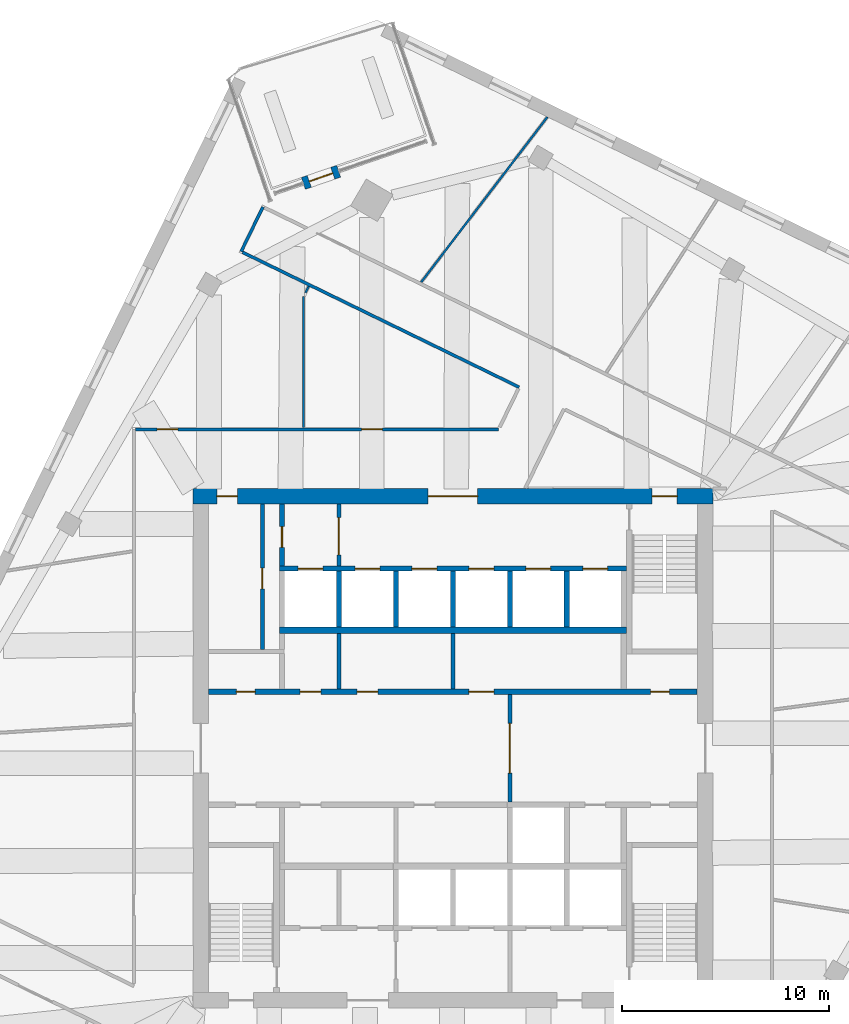
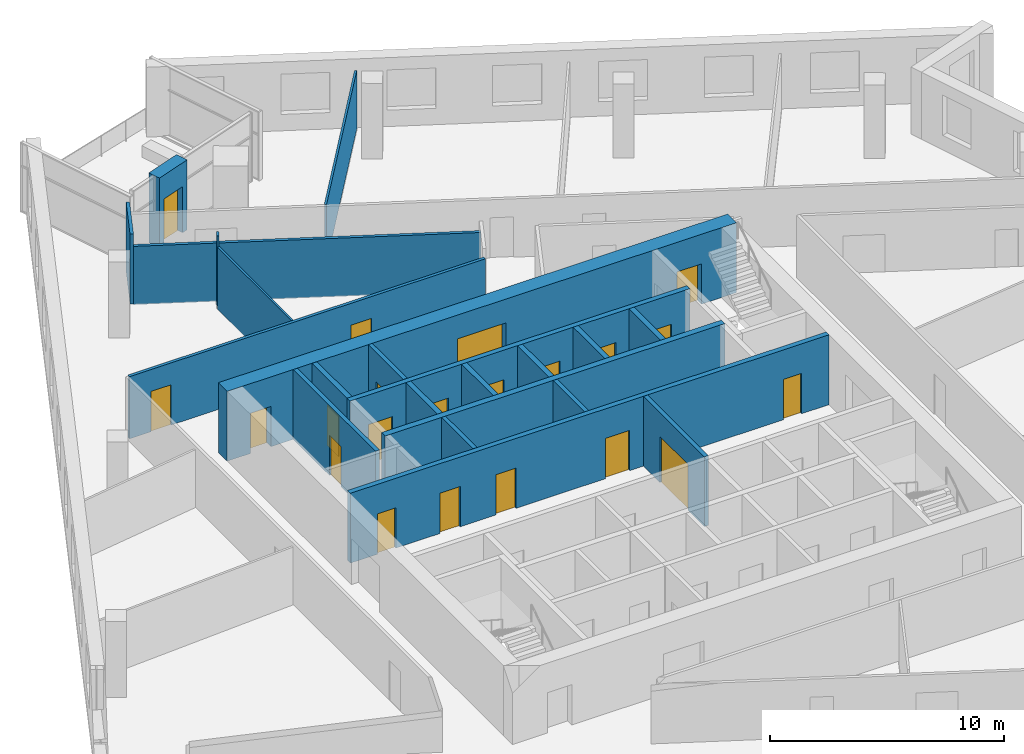
# One storey, part 9 of 13: 22 walls, 21 doors, 21 openings.
"""IFC4 building model written with IfcOpenShell, lengths in metres."""

from ifc_helpers import new_model, si_unit, direction, frame, frame_2d, origin, place, context, subcontext, project, spatial, rectangle, extrude, material, layer, layer_set, type_object, element, fill, save


model = new_model("IFC4")

# Units and contexts
model_context = context("Model", 3, precision=1e-05, world=origin(), true_north=direction((0.0, 1.0)))
body_context = subcontext(model_context, "Body", "Model", "MODEL_VIEW")
ifc_project = project(units=[si_unit("LENGTHUNIT", "METRE"), si_unit("AREAUNIT", "SQUARE_METRE"), si_unit("VOLUMEUNIT", "CUBIC_METRE"), si_unit("PLANEANGLEUNIT", "RADIAN"), si_unit("MASSUNIT", "GRAM", prefix="KILO")], contexts=[model_context])

# Site, building, storey
site_placement = place(None, origin())
site = spatial("IfcSite", under=ifc_project, at=site_placement, CompositionType="ELEMENT")
building_placement = place(site_placement, origin())
building = spatial("IfcBuilding", under=site, at=building_placement, Name="Dilmun Exchange Tower", CompositionType="ELEMENT")
storey_placement = place(building_placement, frame((0.0, 0.0, 282.89990234375)))
storey = spatial("IfcBuildingStorey", under=building, at=storey_placement, Name="L67", CompositionType="ELEMENT", Elevation=282.89990234375)

# Wall, opening, door
ifc_material_1 = material(Name="Concrete C40/50", Category="concrete")
ifc_layer_1 = layer(ifc_material_1, 0.199951171875)
ifc_layer_set_1 = layer_set([ifc_layer_1], Name="Concrete C40/50")
wall_type_1 = type_object("IfcWallType", Name="Core partition wall 200", PredefinedType="PARTITIONING", material=ifc_layer_set_1)
wall_1_placement = place(storey_placement, frame((2.75, -2.594970703125, 0.0), z_axis=(0.0, 0.0, 1.0), x_axis=(0.0, 1.0, 0.0)))
wall_1 = element("IfcWall", 1, at=wall_1_placement, inside=storey, type_object=wall_type_1, Name="L67 core partition wall 12", PredefinedType="PARTITIONING", context=body_context, shape_type="SweptSolid", body=[
    extrude(rectangle(XDim=5.18994140625, YDim=0.199951171875, at=frame_2d((2.594970703125, 0.0))), origin(), (0.0, 0.0, 1.0), 3.64013671875),
])
opening_1_placement = place(wall_1_placement, frame((1.39501953125, 0.0, 0.0)))
opening_1 = element("IfcOpeningElement", 2, at=opening_1_placement, cuts=wall_1, Name="Opening CD1", PredefinedType="OPENING", context=body_context, shape_type="SweptSolid", body=[
    extrude(rectangle(XDim=2.39990234375, YDim=2.39990234375, at=frame_2d((1.199951171875, 1.199951171875))), frame((0.0, 0.10986328125, 0.0), z_axis=(0.0, -1.0, 0.0), x_axis=(1.0, 0.0, 0.0)), (0.0, 0.0, 1.0), 0.219970703125),
])
ifc_material_2 = material(Name="Fire-rated steel door set", Category="steel")
door_type_1 = type_object("IfcDoorType", Name="Core lobby door 2400x2400", OperationType="DOUBLE_DOOR_DOUBLE_SWING", PredefinedType="DOOR", material=ifc_material_2)
door_1_placement = place(opening_1_placement, origin())
door_1 = element("IfcDoor", 3, at=door_1_placement, inside=storey, type_object=door_type_1, Name="L67 door Lift lobby east", OperationType="DOUBLE_DOOR_DOUBLE_SWING", OverallHeight=2.39990234375, OverallWidth=2.39990234375, PredefinedType="DOOR", context=body_context, shape_type="SweptSolid", body=[
    extrude(rectangle(XDim=2.39990234375, YDim=2.39990234375, at=frame_2d((1.199951171875, 1.199951171875))), frame((0.0, 0.02490234375, 0.0), z_axis=(0.0, -1.0, 0.0), x_axis=(1.0, 0.0, 0.0)), (0.0, 0.0, 1.0), 0.050048828125),
])
fill(opening_1, door_1)

# Walls
for number, where, z_axis, x_axis, name in (
    (4, (-5.5, 2.85498046875, 0.0), (0.0, 0.0, 1.0), (0.0, 1.0, 0.0), "L67 core partition wall 15"),
    (5, (0.0, 2.85498046875, 0.0), (0.0, 0.0, 1.0), (0.0, 1.0, 0.0), "L67 core partition wall 16"),
):
    element("IfcWall", number, at=place(storey_placement, frame(where, z_axis=z_axis, x_axis=x_axis)), inside=storey, type_object=wall_type_1, Name=name, PredefinedType="PARTITIONING", context=body_context, shape_type="SweptSolid", body=[
        extrude(rectangle(XDim=2.68994140625, YDim=0.199951171875, at=frame_2d((1.344970703125, 0.0))), origin(), (0.0, 0.0, 1.0), 3.64013671875),
    ])

# Wall, opening, door
wall_2_placement = place(storey_placement, frame((-9.199951171875, 4.780029296875, 0.0), z_axis=(0.0, 0.0, 1.0), x_axis=(0.0, 1.0, 0.0)))
wall_2 = element("IfcWall", 6, at=wall_2_placement, inside=storey, type_object=wall_type_1, Name="L67 core partition wall 19", PredefinedType="PARTITIONING", context=body_context, shape_type="SweptSolid", body=[
    extrude(rectangle(XDim=7.014892578125, YDim=0.199951171875, at=frame_2d((3.50732421875, 0.0))), origin(), (0.0, 0.0, 1.0), 3.64013671875),
])
opening_2_placement = place(wall_2_placement, frame((2.919921875, 0.0, 0.0)))
opening_2 = element("IfcOpeningElement", 7, at=opening_2_placement, cuts=wall_2, Name="Opening CD4", PredefinedType="OPENING", context=body_context, shape_type="SweptSolid", body=[
    extrude(rectangle(XDim=1.0, YDim=2.10009765625, at=frame_2d((0.5, 1.050048828125))), frame((0.0, 0.10986328125, 0.0), z_axis=(0.0, -1.0, 0.0), x_axis=(1.0, 0.0, 0.0)), (0.0, 0.0, 1.0), 0.219970703125),
])
door_type_2 = type_object("IfcDoorType", Name="Core room door 1000x2100", OperationType="SINGLE_SWING_LEFT", PredefinedType="DOOR", material=ifc_material_2)
door_2_placement = place(opening_2_placement, origin())
door_2 = element("IfcDoor", 8, at=door_2_placement, inside=storey, type_object=door_type_2, Name="L67 door Fire safety store", OperationType="SINGLE_SWING_RIGHT", OverallHeight=2.10009765625, OverallWidth=1.0, PredefinedType="DOOR", context=body_context, shape_type="SweptSolid", body=[
    extrude(rectangle(XDim=1.0, YDim=2.10009765625, at=frame_2d((0.5, 1.050048828125))), frame((0.0, 0.02490234375, 0.0), z_axis=(0.0, -1.0, 0.0), x_axis=(1.0, 0.0, 0.0)), (0.0, 0.0, 1.0), 0.050048828125),
])
fill(opening_2, door_2)

wall_3_placement = place(storey_placement, frame((-5.5, 8.804931640625, 0.0), z_axis=(0.0, 0.0, 1.0), x_axis=(0.0, 1.0, 0.0)))
wall_3 = element("IfcWall", 9, at=wall_3_placement, inside=storey, type_object=wall_type_1, Name="L67 core partition wall 22", PredefinedType="PARTITIONING", context=body_context, shape_type="SweptSolid", body=[
    extrude(rectangle(XDim=2.989990234375, YDim=0.199951171875, at=frame_2d((1.4951171875, 0.0))), origin(), (0.0, 0.0, 1.0), 3.64013671875),
])
opening_3_placement = place(wall_3_placement, frame((0.532470703125, 0.0, 0.0)))
opening_3 = element("IfcOpeningElement", 10, at=opening_3_placement, cuts=wall_3, Name="Opening CD5", PredefinedType="OPENING", context=body_context, shape_type="SweptSolid", body=[
    extrude(rectangle(XDim=1.800048828125, YDim=2.10009765625, at=frame_2d((0.89990234375, 1.050048828125))), frame((0.0, 0.10986328125, 0.0), z_axis=(0.0, -1.0, 0.0), x_axis=(1.0, 0.0, 0.0)), (0.0, 0.0, 1.0), 0.219970703125),
])
door_type_3 = type_object("IfcDoorType", Name="Stair exit door 1800x2100", OperationType="SINGLE_SWING_LEFT", PredefinedType="DOOR", material=ifc_material_2)
door_3_placement = place(opening_3_placement, origin())
door_3 = element("IfcDoor", 11, at=door_3_placement, inside=storey, type_object=door_type_3, Name="L67 door Lift lobby east", OperationType="SINGLE_SWING_LEFT", OverallHeight=2.10009765625, OverallWidth=1.800048828125, PredefinedType="DOOR", context=body_context, shape_type="SweptSolid", body=[
    extrude(rectangle(XDim=1.800048828125, YDim=2.10009765625, at=frame_2d((0.89990234375, 1.050048828125))), frame((0.0, 0.02490234375, 0.0), z_axis=(0.0, -1.0, 0.0), x_axis=(1.0, 0.0, 0.0)), (0.0, 0.0, 1.0), 0.050048828125),
])
fill(opening_3, door_3)

# Wall, openings, doors
ifc_layer_2 = layer(ifc_material_1, 0.25)
ifc_layer_set_2 = layer_set([ifc_layer_2], Name="Concrete C40/50")
wall_type_2 = type_object("IfcWallType", Name="Core partition wall 250", PredefinedType="PARTITIONING", material=ifc_layer_set_2)
wall_4_placement = place(storey_placement, frame((-11.794921875, 2.72509765625, 0.0), z_axis=(0.0, 0.0, 1.0), x_axis=(1.0, 0.0, 0.0)))
wall_4 = element("IfcWall", 12, at=wall_4_placement, inside=storey, type_object=wall_type_2, Name="L67 core partition wall 13", PredefinedType="PARTITIONING", context=body_context, shape_type="SweptSolid", body=[
    extrude(rectangle(XDim=23.58984375, YDim=0.25, at=frame_2d((11.794921875, 0.0))), origin(), (0.0, 0.0, 1.0), 3.64013671875),
])
opening_4_placement = place(wall_4_placement, frame((21.344970703125, 0.0, 0.0)))
opening_4 = element("IfcOpeningElement", 13, at=opening_4_placement, cuts=wall_4, Name="Opening CD6", PredefinedType="OPENING", context=body_context, shape_type="SweptSolid", body=[
    extrude(rectangle(XDim=0.89990234375, YDim=2.10009765625, at=frame_2d((0.449951171875, 1.050048828125))), frame((0.0, 0.135009765625, 0.0), z_axis=(0.0, -1.0, 0.0), x_axis=(1.0, 0.0, 0.0)), (0.0, 0.0, 1.0), 0.27001953125),
])
opening_5_placement = place(wall_4_placement, frame((1.344970703125, 0.0, 0.0)))
opening_5 = element("IfcOpeningElement", 14, at=opening_5_placement, cuts=wall_4, Name="Opening CD6", PredefinedType="OPENING", context=body_context, shape_type="SweptSolid", body=[
    extrude(rectangle(XDim=0.89990234375, YDim=2.10009765625, at=frame_2d((0.449951171875, 1.050048828125))), frame((0.0, 0.135009765625, 0.0), z_axis=(0.0, -1.0, 0.0), x_axis=(1.0, 0.0, 0.0)), (0.0, 0.0, 1.0), 0.27001953125),
])
opening_6_placement = place(wall_4_placement, frame((4.419921875, 0.0, 0.0)))
opening_6 = element("IfcOpeningElement", 15, at=opening_6_placement, cuts=wall_4, Name="Opening CD4", PredefinedType="OPENING", context=body_context, shape_type="SweptSolid", body=[
    extrude(rectangle(XDim=1.0, YDim=2.10009765625, at=frame_2d((0.5, 1.050048828125))), frame((0.0, 0.135009765625, 0.0), z_axis=(0.0, -1.0, 0.0), x_axis=(1.0, 0.0, 0.0)), (0.0, 0.0, 1.0), 0.27001953125),
])
opening_7_placement = place(wall_4_placement, frame((7.169921875, 0.0, 0.0)))
opening_7 = element("IfcOpeningElement", 16, at=opening_7_placement, cuts=wall_4, Name="Opening CD4", PredefinedType="OPENING", context=body_context, shape_type="SweptSolid", body=[
    extrude(rectangle(XDim=1.0, YDim=2.10009765625, at=frame_2d((0.5, 1.050048828125))), frame((0.0, 0.135009765625, 0.0), z_axis=(0.0, -1.0, 0.0), x_axis=(1.0, 0.0, 0.0)), (0.0, 0.0, 1.0), 0.27001953125),
])
opening_8_placement = place(wall_4_placement, frame((12.570068359375, 0.0, 0.0)))
opening_8 = element("IfcOpeningElement", 17, at=opening_8_placement, cuts=wall_4, Name="Opening CD3", PredefinedType="OPENING", context=body_context, shape_type="SweptSolid", body=[
    extrude(rectangle(XDim=1.199951171875, YDim=2.10009765625, at=frame_2d((0.60009765625, 1.050048828125))), frame((0.0, 0.135009765625, 0.0), z_axis=(0.0, -1.0, 0.0), x_axis=(1.0, 0.0, 0.0)), (0.0, 0.0, 1.0), 0.27001953125),
])
door_4_placement = place(opening_6_placement, origin())
door_4 = element("IfcDoor", 18, at=door_4_placement, inside=storey, type_object=door_type_2, Name="L67 door Records store", OperationType="SINGLE_SWING_RIGHT", OverallHeight=2.10009765625, OverallWidth=1.0, PredefinedType="DOOR", context=body_context, shape_type="SweptSolid", body=[
    extrude(rectangle(XDim=1.0, YDim=2.10009765625, at=frame_2d((0.5, 1.050048828125))), frame((0.0, 0.02490234375, 0.0), z_axis=(0.0, -1.0, 0.0), x_axis=(1.0, 0.0, 0.0)), (0.0, 0.0, 1.0), 0.050048828125),
])
fill(opening_6, door_4)
door_5_placement = place(opening_7_placement, origin())
door_5 = element("IfcDoor", 19, at=door_5_placement, inside=storey, type_object=door_type_2, Name="L67 door Mechanical room", OperationType="SINGLE_SWING_RIGHT", OverallHeight=2.10009765625, OverallWidth=1.0, PredefinedType="DOOR", context=body_context, shape_type="SweptSolid", body=[
    extrude(rectangle(XDim=1.0, YDim=2.10009765625, at=frame_2d((0.5, 1.050048828125))), frame((0.0, 0.02490234375, 0.0), z_axis=(0.0, -1.0, 0.0), x_axis=(1.0, 0.0, 0.0)), (0.0, 0.0, 1.0), 0.050048828125),
])
fill(opening_7, door_5)
door_type_4 = type_object("IfcDoorType", Name="Core room door 900x2100", OperationType="SINGLE_SWING_LEFT", PredefinedType="DOOR", material=ifc_material_2)
door_6_placement = place(opening_4_placement, origin())
door_6 = element("IfcDoor", 20, at=door_6_placement, inside=storey, type_object=door_type_4, Name="L67 door Electrical riser", OperationType="SINGLE_SWING_RIGHT", OverallHeight=2.10009765625, OverallWidth=0.89990234375, PredefinedType="DOOR", context=body_context, shape_type="SweptSolid", body=[
    extrude(rectangle(XDim=0.89990234375, YDim=2.10009765625, at=frame_2d((0.449951171875, 1.050048828125))), frame((0.0, 0.02490234375, 0.0), z_axis=(0.0, -1.0, 0.0), x_axis=(1.0, 0.0, 0.0)), (0.0, 0.0, 1.0), 0.050048828125),
])
fill(opening_4, door_6)
door_7_placement = place(opening_5_placement, origin())
door_7 = element("IfcDoor", 21, at=door_7_placement, inside=storey, type_object=door_type_4, Name="L67 door Plumbing riser", OperationType="SINGLE_SWING_RIGHT", OverallHeight=2.10009765625, OverallWidth=0.89990234375, PredefinedType="DOOR", context=body_context, shape_type="SweptSolid", body=[
    extrude(rectangle(XDim=0.89990234375, YDim=2.10009765625, at=frame_2d((0.449951171875, 1.050048828125))), frame((0.0, 0.02490234375, 0.0), z_axis=(0.0, -1.0, 0.0), x_axis=(1.0, 0.0, 0.0)), (0.0, 0.0, 1.0), 0.050048828125),
])
fill(opening_5, door_7)
door_type_5 = type_object("IfcDoorType", Name="Stair exit door 1200x2100", OperationType="SINGLE_SWING_LEFT", PredefinedType="DOOR", material=ifc_material_2)
door_8_placement = place(opening_8_placement, origin())
door_8 = element("IfcDoor", 22, at=door_8_placement, inside=storey, type_object=door_type_5, Name="L67 door Tenant meeting suite", OperationType="SINGLE_SWING_LEFT", OverallHeight=2.10009765625, OverallWidth=1.199951171875, PredefinedType="DOOR", context=body_context, shape_type="SweptSolid", body=[
    extrude(rectangle(XDim=1.199951171875, YDim=2.10009765625, at=frame_2d((0.60009765625, 1.050048828125))), frame((0.0, 0.02490234375, 0.0), z_axis=(0.0, -1.0, 0.0), x_axis=(1.0, 0.0, 0.0)), (0.0, 0.0, 1.0), 0.050048828125),
])
fill(opening_8, door_8)

# Wall, opening, door
wall_5_placement = place(storey_placement, frame((-8.25, 8.804931640625, 0.0), z_axis=(0.0, 0.0, 1.0), x_axis=(0.0, 1.0, 0.0)))
wall_5 = element("IfcWall", 23, at=wall_5_placement, inside=storey, type_object=wall_type_2, Name="L67 core partition wall 21", PredefinedType="PARTITIONING", context=body_context, shape_type="SweptSolid", body=[
    extrude(rectangle(XDim=2.989990234375, YDim=0.25, at=frame_2d((1.4951171875, 0.0))), origin(), (0.0, 0.0, 1.0), 3.64013671875),
])
opening_9_placement = place(wall_5_placement, frame((0.89501953125, 0.0, 0.0)))
opening_9 = element("IfcOpeningElement", 24, at=opening_9_placement, cuts=wall_5, Name="Opening CD4", PredefinedType="OPENING", context=body_context, shape_type="SweptSolid", body=[
    extrude(rectangle(XDim=1.0, YDim=2.10009765625, at=frame_2d((0.5, 1.050048828125))), frame((0.0, 0.135009765625, 0.0), z_axis=(0.0, -1.0, 0.0), x_axis=(1.0, 0.0, 0.0)), (0.0, 0.0, 1.0), 0.27001953125),
])
door_9_placement = place(opening_9_placement, origin())
door_9 = element("IfcDoor", 25, at=door_9_placement, inside=storey, type_object=door_type_2, Name="L67 door Tenant services room", OperationType="SINGLE_SWING_RIGHT", OverallHeight=2.10009765625, OverallWidth=1.0, PredefinedType="DOOR", context=body_context, shape_type="SweptSolid", body=[
    extrude(rectangle(XDim=1.0, YDim=2.10009765625, at=frame_2d((0.5, 1.050048828125))), frame((0.0, 0.02490234375, 0.0), z_axis=(0.0, -1.0, 0.0), x_axis=(1.0, 0.0, 0.0)), (0.0, 0.0, 1.0), 0.050048828125),
])
fill(opening_9, door_9)

# Wall, openings, doors
ifc_material_3 = material(Name="Concrete C50/60", Category="concrete")
ifc_layer_3 = layer(ifc_material_3, 0.75)
ifc_layer_set_3 = layer_set([ifc_layer_3], Name="Concrete C50/60")
wall_type_3 = type_object("IfcWallType", Name="Core shear wall 750 Concrete C50/60", PredefinedType="SHEAR", material=ifc_layer_set_3)
wall_6_placement = place(storey_placement, frame((-12.550048828125, 12.175048828125, 0.0), z_axis=(0.0, 0.0, 1.0), x_axis=(1.0, 0.0, 0.0)))
wall_6 = element("IfcWall", 26, at=wall_6_placement, inside=storey, type_object=wall_type_3, Name="L67 core shear wall N", PredefinedType="SHEAR", context=body_context, shape_type="SweptSolid", body=[
    extrude(rectangle(XDim=25.10009765625, YDim=0.75, at=frame_2d((12.550048828125, 0.0))), origin(), (0.0, 0.0, 1.0), 3.64013671875),
])
opening_10_placement = place(wall_6_placement, frame((11.35009765625, 0.0, 0.0)))
opening_10 = element("IfcOpeningElement", 27, at=opening_10_placement, cuts=wall_6, Name="Opening CD1", PredefinedType="OPENING", context=body_context, shape_type="SweptSolid", body=[
    extrude(rectangle(XDim=2.39990234375, YDim=2.39990234375, at=frame_2d((1.199951171875, 1.199951171875))), frame((0.0, 0.385009765625, 0.0), z_axis=(0.0, -1.0, 0.0), x_axis=(1.0, 0.0, 0.0)), (0.0, 0.0, 1.0), 0.77001953125),
])
opening_11_placement = place(wall_6_placement, frame((22.175048828125, 0.0, 0.0)))
opening_11 = element("IfcOpeningElement", 28, at=opening_11_placement, cuts=wall_6, Name="Opening CD3", PredefinedType="OPENING", context=body_context, shape_type="SweptSolid", body=[
    extrude(rectangle(XDim=1.199951171875, YDim=2.10009765625, at=frame_2d((0.60009765625, 1.050048828125))), frame((0.0, 0.385009765625, 0.0), z_axis=(0.0, -1.0, 0.0), x_axis=(1.0, 0.0, 0.0)), (0.0, 0.0, 1.0), 0.77001953125),
])
opening_12_placement = place(wall_6_placement, frame((1.14990234375, 0.0, 0.0)))
opening_12 = element("IfcOpeningElement", 29, at=opening_12_placement, cuts=wall_6, Name="Opening CD4", PredefinedType="OPENING", context=body_context, shape_type="SweptSolid", body=[
    extrude(rectangle(XDim=1.0, YDim=2.10009765625, at=frame_2d((0.5, 1.050048828125))), frame((0.0, 0.385009765625, 0.0), z_axis=(0.0, -1.0, 0.0), x_axis=(1.0, 0.0, 0.0)), (0.0, 0.0, 1.0), 0.77001953125),
])
door_10_placement = place(opening_10_placement, origin())
door_10 = element("IfcDoor", 30, at=door_10_placement, inside=storey, type_object=door_type_1, Name="L67 door North lift lobby", OperationType="SINGLE_SWING_LEFT", OverallHeight=2.39990234375, OverallWidth=2.39990234375, PredefinedType="DOOR", context=body_context, shape_type="SweptSolid", body=[
    extrude(rectangle(XDim=2.39990234375, YDim=2.39990234375, at=frame_2d((1.199951171875, 1.199951171875))), frame((0.0, 0.02490234375, 0.0), z_axis=(0.0, -1.0, 0.0), x_axis=(1.0, 0.0, 0.0)), (0.0, 0.0, 1.0), 0.050048828125),
])
fill(opening_10, door_10)
door_11_placement = place(opening_12_placement, origin())
door_11 = element("IfcDoor", 31, at=door_11_placement, inside=storey, type_object=door_type_2, Name="L67 door North-west core rooms", OperationType="SINGLE_SWING_LEFT", OverallHeight=2.10009765625, OverallWidth=1.0, PredefinedType="DOOR", context=body_context, shape_type="SweptSolid", body=[
    extrude(rectangle(XDim=1.0, YDim=2.10009765625, at=frame_2d((0.5, 1.050048828125))), frame((0.0, 0.02490234375, 0.0), z_axis=(0.0, -1.0, 0.0), x_axis=(1.0, 0.0, 0.0)), (0.0, 0.0, 1.0), 0.050048828125),
])
fill(opening_12, door_11)
door_12_placement = place(opening_11_placement, origin())
door_12 = element("IfcDoor", 32, at=door_12_placement, inside=storey, type_object=door_type_5, Name="L67 door Stair ST1", OperationType="SINGLE_SWING_LEFT", OverallHeight=2.10009765625, OverallWidth=1.199951171875, PredefinedType="DOOR", context=body_context, shape_type="SweptSolid", body=[
    extrude(rectangle(XDim=1.199951171875, YDim=2.10009765625, at=frame_2d((0.60009765625, 1.050048828125))), frame((0.0, 0.02490234375, 0.0), z_axis=(0.0, -1.0, 0.0), x_axis=(1.0, 0.0, 0.0)), (0.0, 0.0, 1.0), 0.050048828125),
])
fill(opening_11, door_12)

ifc_material_4 = material(Name="Corridor wall 150")
ifc_layer_4 = layer(ifc_material_4, 0.14990234375)
ifc_layer_set_4 = layer_set([ifc_layer_4], Name="Corridor wall 150")
wall_type_4 = type_object("IfcWallType", Name="Corridor wall 150", PredefinedType="PARTITIONING", material=ifc_layer_set_4)
wall_7_placement = place(storey_placement, frame((-15.324951171875, 15.39990234375, 0.0), z_axis=(0.0, 0.0, 1.0), x_axis=(1.0, 0.0, 0.0)))
wall_7 = element("IfcWall", 33, at=wall_7_placement, inside=storey, type_object=wall_type_4, Name="Corridor wall", PredefinedType="PARTITIONING", context=body_context, shape_type="SweptSolid", body=[
    extrude(rectangle(XDim=17.534912109375, YDim=0.14990234375, at=frame_2d((8.767578125, 0.0))), origin(), (0.0, 0.0, 1.0), 3.239990234375),
])
opening_13_placement = place(wall_7_placement, frame((1.050048828125, 0.0, 0.0)))
opening_13 = element("IfcOpeningElement", 34, at=opening_13_placement, cuts=wall_7, Name="Opening TF67-D06", PredefinedType="OPENING", context=body_context, shape_type="SweptSolid", body=[
    extrude(rectangle(XDim=1.0, YDim=2.10009765625, at=frame_2d((0.5, 1.050048828125))), frame((0.0, 0.0849609375, 0.0), z_axis=(0.0, -1.0, 0.0), x_axis=(1.0, 0.0, 0.0)), (0.0, 0.0, 1.0), 0.169921875),
])
opening_14_placement = place(wall_7_placement, frame((10.915283203125, 0.0, 0.0)))
opening_14 = element("IfcOpeningElement", 35, at=opening_14_placement, cuts=wall_7, Name="Opening TF67-D08", PredefinedType="OPENING", context=body_context, shape_type="SweptSolid", body=[
    extrude(rectangle(XDim=1.0, YDim=2.10009765625, at=frame_2d((0.5, 1.050048828125))), frame((0.0, 0.0849609375, 0.0), z_axis=(0.0, -1.0, 0.0), x_axis=(1.0, 0.0, 0.0)), (0.0, 0.0, 1.0), 0.169921875),
])
ifc_material_5 = material(Name="Fire door 1000 x 2100")
door_type_6 = type_object("IfcDoorType", Name="Fire door 1000 x 2100", OperationType="NOTDEFINED", PredefinedType="DOOR", material=ifc_material_5)
door_13_placement = place(opening_13_placement, origin())
door_13 = element("IfcDoor", 36, at=door_13_placement, inside=storey, type_object=door_type_6, Name="Door TF67-D06", OperationType="SINGLE_SWING_LEFT", OverallHeight=2.10009765625, OverallWidth=1.0, PredefinedType="DOOR", context=body_context, shape_type="SweptSolid", body=[
    extrude(rectangle(XDim=1.0, YDim=2.10009765625, at=frame_2d((0.5, 1.050048828125))), frame((0.0, 0.02490234375, 0.0), z_axis=(0.0, -1.0, 0.0), x_axis=(1.0, 0.0, 0.0)), (0.0, 0.0, 1.0), 0.050048828125),
])
fill(opening_13, door_13)
door_14_placement = place(opening_14_placement, origin())
door_14 = element("IfcDoor", 37, at=door_14_placement, inside=storey, type_object=door_type_6, Name="Door TF67-D08", OperationType="SINGLE_SWING_RIGHT", OverallHeight=2.10009765625, OverallWidth=1.0, PredefinedType="DOOR", context=body_context, shape_type="SweptSolid", body=[
    extrude(rectangle(XDim=1.0, YDim=2.10009765625, at=frame_2d((0.5, 1.050048828125))), frame((0.0, 0.02490234375, 0.0), z_axis=(0.0, -1.0, 0.0), x_axis=(1.0, 0.0, 0.0)), (0.0, 0.0, 1.0), 0.050048828125),
])
fill(opening_14, door_14)

# Walls
wall_8_placement = place(storey_placement, frame((-10.222900390625, 23.97998046875, 0.0), z_axis=(0.0, 0.0, 1.0), x_axis=(0.438361496965, 0.898798752769, 0.0)))
element("IfcWall", 38, at=wall_8_placement, inside=storey, type_object=wall_type_4, Name="Corridor wall", PredefinedType="PARTITIONING", context=body_context, shape_type="SweptSolid", body=[
    extrude(rectangle(XDim=2.39990234375, YDim=0.14990234375, at=frame_2d((1.199951171875, 0.0))), origin(), (0.0, 0.0, 1.0), 3.64013671875),
])
wall_9_placement = place(storey_placement, frame((-10.155517578125, 23.947021484375, 0.0), z_axis=(0.0, 0.0, 1.0), x_axis=(0.898773813872, -0.438412626983, 0.0)))
element("IfcWall", 39, at=wall_9_placement, inside=storey, type_object=wall_type_4, Name="Corridor wall", PredefinedType="PARTITIONING", context=body_context, shape_type="SweptSolid", body=[
    extrude(rectangle(XDim=14.86083984375, YDim=0.14990234375, at=frame_2d((7.430419921875, 0.0))), origin(), (0.0, 0.0, 1.0), 3.0400390625),
])
ifc_layer_5 = layer(ifc_material_1, 0.300048828125)
ifc_layer_set_5 = layer_set([ifc_layer_5], Name="Concrete C40/50")
wall_type_5 = type_object("IfcWallType", Name="Lift shaft shared wall 300", PredefinedType="SOLIDWALL", material=ifc_layer_set_5)
wall_10_placement = place(storey_placement, frame((-8.375, 5.699951171875, 0.0), z_axis=(0.0, 0.0, 1.0), x_axis=(1.0, 0.0, 0.0)))
element("IfcWall", 40, at=wall_10_placement, inside=storey, type_object=wall_type_5, Name="L67 lift shaft rear wall N", PredefinedType="SOLIDWALL", context=body_context, shape_type="SweptSolid", body=[
    extrude(rectangle(XDim=16.75, YDim=0.300048828125, at=frame_2d((8.375, 0.0))), origin(), (0.0, 0.0, 1.0), 3.64013671875),
])

# Wall, openings, doors
ifc_layer_6 = layer(ifc_material_1, 0.25)
ifc_layer_set_6 = layer_set([ifc_layer_6], Name="Concrete C40/50")
wall_type_6 = type_object("IfcWallType", Name="Lift shaft wall 250", PredefinedType="SOLIDWALL", material=ifc_layer_set_6)
wall_11_placement = place(storey_placement, frame((-8.375, 8.675048828125, 0.0), z_axis=(0.0, 0.0, 1.0), x_axis=(1.0, 0.0, 0.0)))
wall_11 = element("IfcWall", 41, at=wall_11_placement, inside=storey, type_object=wall_type_6, Name="L67 lift shaft front wall N2", PredefinedType="SOLIDWALL", context=body_context, shape_type="SweptSolid", body=[
    extrude(rectangle(XDim=16.75, YDim=0.25, at=frame_2d((8.375, 0.0))), origin(), (0.0, 0.0, 1.0), 3.64013671875),
])
opening_15_placement = place(wall_11_placement, frame((0.89990234375, 0.0, 0.0)))
opening_15 = element("IfcOpeningElement", 42, at=opening_15_placement, cuts=wall_11, Name="Opening LD", PredefinedType="OPENING", context=body_context, shape_type="SweptSolid", body=[
    extrude(rectangle(XDim=1.199951171875, YDim=2.10009765625, at=frame_2d((0.60009765625, 1.050048828125))), frame((0.0, 0.135009765625, 0.0), z_axis=(0.0, -1.0, 0.0), x_axis=(1.0, 0.0, 0.0)), (0.0, 0.0, 1.0), 0.27001953125),
])
opening_16_placement = place(wall_11_placement, frame((3.64990234375, 0.0, 0.0)))
opening_16 = element("IfcOpeningElement", 43, at=opening_16_placement, cuts=wall_11, Name="Opening LD", PredefinedType="OPENING", context=body_context, shape_type="SweptSolid", body=[
    extrude(rectangle(XDim=1.199951171875, YDim=2.10009765625, at=frame_2d((0.60009765625, 1.050048828125))), frame((0.0, 0.135009765625, 0.0), z_axis=(0.0, -1.0, 0.0), x_axis=(1.0, 0.0, 0.0)), (0.0, 0.0, 1.0), 0.27001953125),
])
opening_17_placement = place(wall_11_placement, frame((6.39990234375, 0.0, 0.0)))
opening_17 = element("IfcOpeningElement", 44, at=opening_17_placement, cuts=wall_11, Name="Opening LD", PredefinedType="OPENING", context=body_context, shape_type="SweptSolid", body=[
    extrude(rectangle(XDim=1.199951171875, YDim=2.10009765625, at=frame_2d((0.60009765625, 1.050048828125))), frame((0.0, 0.135009765625, 0.0), z_axis=(0.0, -1.0, 0.0), x_axis=(1.0, 0.0, 0.0)), (0.0, 0.0, 1.0), 0.27001953125),
])
opening_18_placement = place(wall_11_placement, frame((9.14990234375, 0.0, 0.0)))
opening_18 = element("IfcOpeningElement", 45, at=opening_18_placement, cuts=wall_11, Name="Opening LD", PredefinedType="OPENING", context=body_context, shape_type="SweptSolid", body=[
    extrude(rectangle(XDim=1.199951171875, YDim=2.10009765625, at=frame_2d((0.60009765625, 1.050048828125))), frame((0.0, 0.135009765625, 0.0), z_axis=(0.0, -1.0, 0.0), x_axis=(1.0, 0.0, 0.0)), (0.0, 0.0, 1.0), 0.27001953125),
])
opening_19_placement = place(wall_11_placement, frame((11.89990234375, 0.0, 0.0)))
opening_19 = element("IfcOpeningElement", 46, at=opening_19_placement, cuts=wall_11, Name="Opening LD", PredefinedType="OPENING", context=body_context, shape_type="SweptSolid", body=[
    extrude(rectangle(XDim=1.199951171875, YDim=2.10009765625, at=frame_2d((0.60009765625, 1.050048828125))), frame((0.0, 0.135009765625, 0.0), z_axis=(0.0, -1.0, 0.0), x_axis=(1.0, 0.0, 0.0)), (0.0, 0.0, 1.0), 0.27001953125),
])
opening_20_placement = place(wall_11_placement, frame((14.64990234375, 0.0, 0.0)))
opening_20 = element("IfcOpeningElement", 47, at=opening_20_placement, cuts=wall_11, Name="Opening LD", PredefinedType="OPENING", context=body_context, shape_type="SweptSolid", body=[
    extrude(rectangle(XDim=1.199951171875, YDim=2.10009765625, at=frame_2d((0.60009765625, 1.050048828125))), frame((0.0, 0.135009765625, 0.0), z_axis=(0.0, -1.0, 0.0), x_axis=(1.0, 0.0, 0.0)), (0.0, 0.0, 1.0), 0.27001953125),
])
door_type_7 = type_object("IfcDoorType", Name="Lift landing door 1200x2100", OperationType="DOUBLE_DOOR_SLIDING", PredefinedType="DOOR", material=ifc_material_2)
door_15_placement = place(opening_15_placement, origin())
door_15 = element("IfcDoor", 48, at=door_15_placement, inside=storey, type_object=door_type_7, Name="L67 landing door HR1", OperationType="DOUBLE_DOOR_SLIDING", OverallHeight=2.10009765625, OverallWidth=1.199951171875, PredefinedType="DOOR", context=body_context, shape_type="SweptSolid", body=[
    extrude(rectangle(XDim=1.199951171875, YDim=2.10009765625, at=frame_2d((0.60009765625, 1.050048828125))), frame((0.0, 0.02490234375, 0.0), z_axis=(0.0, -1.0, 0.0), x_axis=(1.0, 0.0, 0.0)), (0.0, 0.0, 1.0), 0.050048828125),
])
fill(opening_15, door_15)
door_16_placement = place(opening_16_placement, origin())
door_16 = element("IfcDoor", 49, at=door_16_placement, inside=storey, type_object=door_type_7, Name="L67 landing door HR2", OperationType="DOUBLE_DOOR_SLIDING", OverallHeight=2.10009765625, OverallWidth=1.199951171875, PredefinedType="DOOR", context=body_context, shape_type="SweptSolid", body=[
    extrude(rectangle(XDim=1.199951171875, YDim=2.10009765625, at=frame_2d((0.60009765625, 1.050048828125))), frame((0.0, 0.02490234375, 0.0), z_axis=(0.0, -1.0, 0.0), x_axis=(1.0, 0.0, 0.0)), (0.0, 0.0, 1.0), 0.050048828125),
])
fill(opening_16, door_16)
door_17_placement = place(opening_17_placement, origin())
door_17 = element("IfcDoor", 50, at=door_17_placement, inside=storey, type_object=door_type_7, Name="L67 landing door HR3", OperationType="DOUBLE_DOOR_SLIDING", OverallHeight=2.10009765625, OverallWidth=1.199951171875, PredefinedType="DOOR", context=body_context, shape_type="SweptSolid", body=[
    extrude(rectangle(XDim=1.199951171875, YDim=2.10009765625, at=frame_2d((0.60009765625, 1.050048828125))), frame((0.0, 0.02490234375, 0.0), z_axis=(0.0, -1.0, 0.0), x_axis=(1.0, 0.0, 0.0)), (0.0, 0.0, 1.0), 0.050048828125),
])
fill(opening_17, door_17)
door_18_placement = place(opening_18_placement, origin())
door_18 = element("IfcDoor", 51, at=door_18_placement, inside=storey, type_object=door_type_7, Name="L67 landing door HR4", OperationType="DOUBLE_DOOR_SLIDING", OverallHeight=2.10009765625, OverallWidth=1.199951171875, PredefinedType="DOOR", context=body_context, shape_type="SweptSolid", body=[
    extrude(rectangle(XDim=1.199951171875, YDim=2.10009765625, at=frame_2d((0.60009765625, 1.050048828125))), frame((0.0, 0.02490234375, 0.0), z_axis=(0.0, -1.0, 0.0), x_axis=(1.0, 0.0, 0.0)), (0.0, 0.0, 1.0), 0.050048828125),
])
fill(opening_18, door_18)
door_19_placement = place(opening_19_placement, origin())
door_19 = element("IfcDoor", 52, at=door_19_placement, inside=storey, type_object=door_type_7, Name="L67 landing door HR5", OperationType="DOUBLE_DOOR_SLIDING", OverallHeight=2.10009765625, OverallWidth=1.199951171875, PredefinedType="DOOR", context=body_context, shape_type="SweptSolid", body=[
    extrude(rectangle(XDim=1.199951171875, YDim=2.10009765625, at=frame_2d((0.60009765625, 1.050048828125))), frame((0.0, 0.02490234375, 0.0), z_axis=(0.0, -1.0, 0.0), x_axis=(1.0, 0.0, 0.0)), (0.0, 0.0, 1.0), 0.050048828125),
])
fill(opening_19, door_19)
door_20_placement = place(opening_20_placement, origin())
door_20 = element("IfcDoor", 53, at=door_20_placement, inside=storey, type_object=door_type_7, Name="L67 landing door HR6", OperationType="DOUBLE_DOOR_SLIDING", OverallHeight=2.10009765625, OverallWidth=1.199951171875, PredefinedType="DOOR", context=body_context, shape_type="SweptSolid", body=[
    extrude(rectangle(XDim=1.199951171875, YDim=2.10009765625, at=frame_2d((0.60009765625, 1.050048828125))), frame((0.0, 0.02490234375, 0.0), z_axis=(0.0, -1.0, 0.0), x_axis=(1.0, 0.0, 0.0)), (0.0, 0.0, 1.0), 0.050048828125),
])
fill(opening_20, door_20)

# Walls
for number, where, z_axis, x_axis, name in (
    (54, (-5.5, 5.85009765625, 0.0), (0.0, 0.0, 1.0), (0.0, 1.0, 0.0), "L67 lift shaft divider N21"),
    (55, (-2.75, 5.85009765625, 0.0), (0.0, 0.0, 1.0), (0.0, 1.0, 0.0), "L67 lift shaft divider N22"),
    (56, (0.0, 5.85009765625, 0.0), (0.0, 0.0, 1.0), (0.0, 1.0, 0.0), "L67 lift shaft divider N23"),
    (57, (2.75, 5.85009765625, 0.0), (0.0, 0.0, 1.0), (0.0, 1.0, 0.0), "L67 lift shaft divider N24"),
    (58, (5.5, 5.85009765625, 0.0), (0.0, 0.0, 1.0), (0.0, 1.0, 0.0), "L67 lift shaft divider N25"),
):
    element("IfcWall", number, at=place(storey_placement, frame(where, z_axis=z_axis, x_axis=x_axis)), inside=storey, type_object=wall_type_6, Name=name, PredefinedType="SOLIDWALL", context=body_context, shape_type="SweptSolid", body=[
        extrude(rectangle(XDim=2.699951171875, YDim=0.25, at=frame_2d((1.35009765625, 0.0))), origin(), (0.0, 0.0, 1.0), 3.64013671875),
    ])
ifc_material_6 = material(Name="Partition 100")
ifc_layer_7 = layer(ifc_material_6, 0.10009765625)
ifc_layer_set_7 = layer_set([ifc_layer_7], Name="Partition 100")
wall_type_7 = type_object("IfcWallType", Name="Partition 100", PredefinedType="PARTITIONING", material=ifc_layer_set_7)
wall_12_placement = place(storey_placement, frame((-7.2099609375, 15.47509765625, 0.0), z_axis=(0.0, 0.0, 1.0), x_axis=(0.0, 1.0, 0.0)))
element("IfcWall", 59, at=wall_12_placement, inside=storey, type_object=wall_type_7, Name="Partition", PredefinedType="PARTITIONING", context=body_context, shape_type="SweptSolid", body=[
    extrude(rectangle(XDim=6.325927734375, YDim=0.10009765625, at=frame_2d((3.1630859375, 0.0))), origin(), (0.0, 0.0, 1.0), 3.239990234375),
])
wall_13_placement = place(storey_placement, frame((-7.114990234375, 21.995361328125, 0.0), z_axis=(0.0, 0.0, 1.0), x_axis=(0.439020539002, 0.898477026047, 0.0)))
element("IfcWall", 60, at=wall_13_placement, inside=storey, type_object=wall_type_7, Name="Partition", PredefinedType="PARTITIONING", context=body_context, shape_type="SweptSolid", body=[
    extrude(rectangle(XDim=0.346435546875, YDim=0.10009765625, at=frame_2d((0.17333984375, 0.0))), origin(), (0.0, 0.0, 1.0), 3.64013671875),
])
wall_14_placement = place(storey_placement, frame((-1.529296875, 22.50390625, 0.0), z_axis=(0.0, 0.0, 1.0), x_axis=(0.607088982963, 0.794633857046, 0.0)))
element("IfcWall", 61, at=wall_14_placement, inside=storey, type_object=wall_type_7, Name="Partition", PredefinedType="PARTITIONING", context=body_context, shape_type="SweptSolid", body=[
    extrude(rectangle(XDim=10.039306640625, YDim=0.10009765625, at=frame_2d((5.01953125, 0.0))), origin(), (0.0, 0.0, 1.0), 3.0400390625),
])

# Wall, opening, door
ifc_material_7 = material(Name="Precast concrete C50/60", Category="concrete")
ifc_layer_8 = layer(ifc_material_7, 0.60009765625)
ifc_layer_set_8 = layer_set([ifc_layer_8], Name="Precast concrete C50/60")
wall_type_8 = type_object("IfcWallType", Name="Precast stone-clad wall 600", PredefinedType="STANDARD", material=ifc_layer_set_8)
wall_15_placement = place(storey_placement, frame((-5.515380859375, 27.858154296875, 0.0), z_axis=(0.0, 0.0, 1.0), x_axis=(-0.945531426266, -0.32553083102, 0.0)))
wall_15 = element("IfcWall", 62, at=wall_15_placement, inside=storey, type_object=wall_type_8, Name="Facade wall L67-01-D", PredefinedType="STANDARD", context=body_context, shape_type="SweptSolid", body=[
    extrude(rectangle(XDim=1.800048828125, YDim=0.60009765625, at=frame_2d((0.89990234375, 0.0))), origin(), (0.0, 0.0, 1.0), 3.64013671875),
])
opening_21_placement = place(wall_15_placement, frame((0.300048828125, 0.0, 0.0)))
opening_21 = element("IfcOpeningElement", 63, at=opening_21_placement, cuts=wall_15, Name="Opening GD-1", PredefinedType="OPENING", context=body_context, shape_type="SweptSolid", body=[
    extrude(rectangle(XDim=1.199951171875, YDim=2.39990234375, at=frame_2d((0.60009765625, 1.199951171875))), frame((0.0, 0.31005859375, 0.0), z_axis=(0.0, -1.0, 0.0), x_axis=(1.0, 0.0, 0.0)), (0.0, 0.0, 1.0), 0.6201171875),
])
ifc_material_8 = material(Name="Clear low-emissivity glass in aluminium frame", Category="aluminium")
door_type_8 = type_object("IfcDoorType", Name="Glazed garden door 1200 x 2400", OperationType="SINGLE_SWING_LEFT", PredefinedType="DOOR", material=ifc_material_8)
door_21_placement = place(opening_21_placement, origin())
door_21 = element("IfcDoor", 64, at=door_21_placement, inside=storey, type_object=door_type_8, Name="Garden terrace door", OperationType="SINGLE_SWING_LEFT", OverallHeight=2.39990234375, OverallWidth=1.199951171875, PredefinedType="DOOR", context=body_context, shape_type="SweptSolid", body=[
    extrude(rectangle(XDim=1.199951171875, YDim=2.39990234375, at=frame_2d((0.60009765625, 1.199951171875))), frame((0.0, 0.02490234375, 0.0), z_axis=(0.0, -1.0, 0.0), x_axis=(1.0, 0.0, 0.0)), (0.0, 0.0, 1.0), 0.050048828125),
])
fill(opening_21, door_21)

save(model, "model.ifc")
